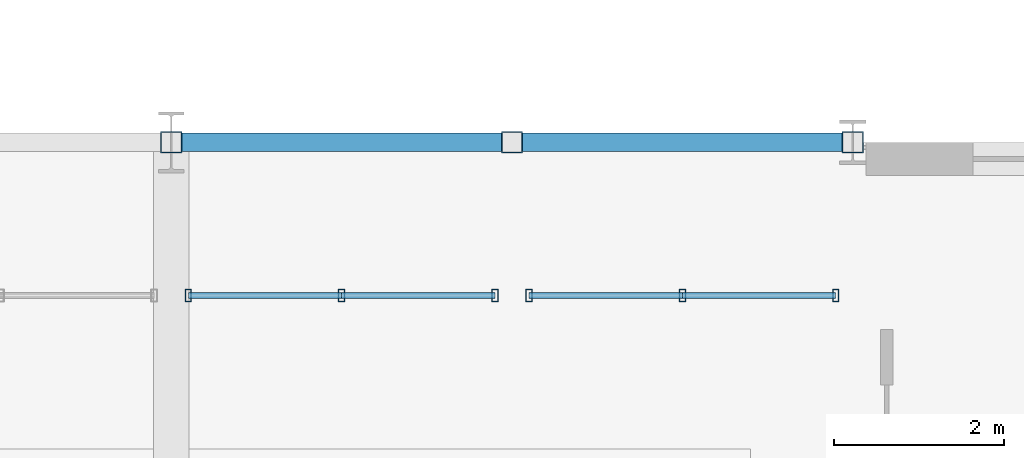
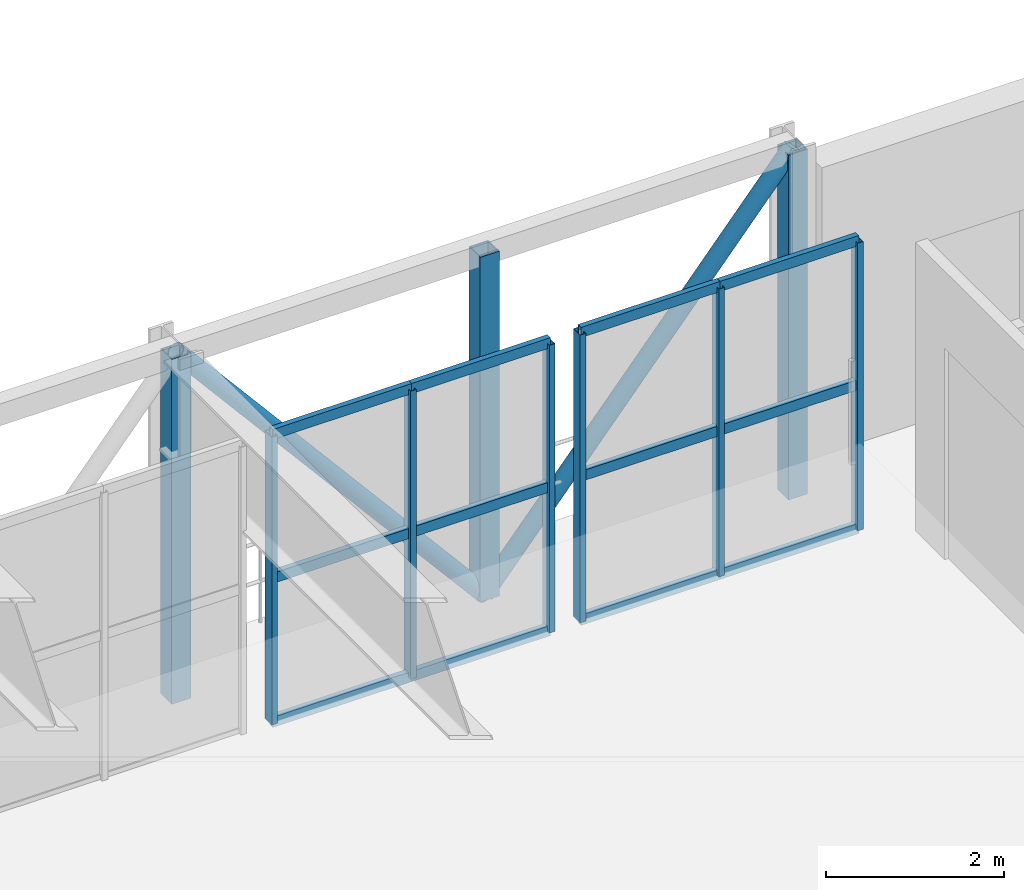
# One storey, part 32 of 124: 23 members, 2 elements without a shape of their own.
"""IFC4 building model written with IfcOpenShell, lengths in metres."""

from ifc_helpers import new_model, si_unit, direction, frame, origin, origin_2d, place, context, subcontext, project, spatial, hollow_rectangle, hollow_circle, extrude, material, material_profile, profile_set, type_object, element, aggregate, save


model = new_model("IFC4")

# Units and contexts
model_context = context("Model", 3, precision=1e-05, world=origin(), true_north=direction((0.0, 1.0)))
body_context = subcontext(model_context, "Body", "Model", "MODEL_VIEW")
ifc_project = project(units=[si_unit("LENGTHUNIT", "METRE"), si_unit("AREAUNIT", "SQUARE_METRE"), si_unit("VOLUMEUNIT", "CUBIC_METRE"), si_unit("PLANEANGLEUNIT", "RADIAN"), si_unit("MASSUNIT", "GRAM", prefix="KILO")], contexts=[model_context])

# Site, building, storey
site_placement = place(None, origin())
site = spatial("IfcSite", under=ifc_project, at=site_placement, CompositionType="ELEMENT")
building_placement = place(site_placement, origin())
building = spatial("IfcBuilding", under=site, at=building_placement, Name="Sundkrona Museum", CompositionType="ELEMENT")
storey_placement = place(building_placement, frame((0.0, 0.0, 17.60009765625)))
storey = spatial("IfcBuildingStorey", under=building, at=storey_placement, Name="L03", CompositionType="ELEMENT", Elevation=17.60009765625)

# Curtain wall, members
ifc_material_1 = material(Name="Unitised Aluminium-Steel and Ceramic-Clad Curtain Walling", Category="steel")
curtain_wall_type = type_object("IfcCurtainWallType", Name="CW-CV-36x38", PredefinedType="NOTDEFINED", material=ifc_material_1)
curtain_wall_1_placement = place(storey_placement, origin())
curtain_wall_1 = element("IfcCurtainWall", 1, at=curtain_wall_1_placement, inside=storey, type_object=curtain_wall_type, Name="L03 Curtain Wall CW-L03-159", PredefinedType="NOTDEFINED")
ifc_material_2 = material(Name="Aluminium EN AW-6060 T66", Category="aluminium")
ifc_material_profile_1 = material_profile(ifc_material_2, hollow_rectangle(XDim=0.074951171875, YDim=0.14990234375, WallThickness=0.00634765625, at=origin_2d()), Name="RHS 150x75x6.3")
ifc_profile_set_1 = profile_set([ifc_material_profile_1], Name="Aluminium EN AW-6060 T66")
member_type_1 = type_object("IfcMemberType", Name="ML-150", PredefinedType="MULLION", material=ifc_profile_set_1)
member_1_placement = place(storey_placement, frame((16.199951171875, 52.199951171875, -0.004150390625), z_axis=(0.0, 0.0, 1.0), x_axis=(1.0, 0.0, 0.0)))
member_1 = element("IfcMember", 2, at=member_1_placement, type_object=member_type_1, Name="CW-L03-159 Mullion 01", PredefinedType="MULLION", context=body_context, shape_type="SweptSolid", body=[
    extrude(hollow_rectangle(XDim=0.074951171875, YDim=0.14990234375, WallThickness=0.00634765625, at=origin_2d()), origin(), (0.0, 0.0, 1.0), 3.947998046875),
])
member_2_placement = place(storey_placement, frame((18.0, 52.199951171875, -0.004150390625), z_axis=(0.0, 0.0, 1.0), x_axis=(1.0, 0.0, 0.0)))
member_2 = element("IfcMember", 3, at=member_2_placement, type_object=member_type_1, Name="CW-L03-159 Mullion 02", PredefinedType="MULLION", context=body_context, shape_type="SweptSolid", body=[
    extrude(hollow_rectangle(XDim=0.074951171875, YDim=0.14990234375, WallThickness=0.00634765625, at=origin_2d()), origin(), (0.0, 0.0, 1.0), 3.947998046875),
])
member_3_placement = place(storey_placement, frame((19.800048828125, 52.199951171875, -0.004150390625), z_axis=(0.0, 0.0, 1.0), x_axis=(1.0, 0.0, 0.0)))
member_3 = element("IfcMember", 4, at=member_3_placement, type_object=member_type_1, Name="CW-L03-159 Mullion 03", PredefinedType="MULLION", context=body_context, shape_type="SweptSolid", body=[
    extrude(hollow_rectangle(XDim=0.074951171875, YDim=0.14990234375, WallThickness=0.00634765625, at=origin_2d()), origin(), (0.0, 0.0, 1.0), 3.947998046875),
])

curtain_wall_2_placement = place(storey_placement, origin())
curtain_wall_2 = element("IfcCurtainWall", 5, at=curtain_wall_2_placement, inside=storey, type_object=curtain_wall_type, Name="L03 Curtain Wall CW-L03-161", PredefinedType="NOTDEFINED")
member_4_placement = place(storey_placement, frame((20.199951171875, 52.199951171875, -0.004150390625), z_axis=(0.0, 0.0, 1.0), x_axis=(1.0, 0.0, 0.0)))
member_4 = element("IfcMember", 6, at=member_4_placement, type_object=member_type_1, Name="CW-L03-161 Mullion 01", PredefinedType="MULLION", context=body_context, shape_type="SweptSolid", body=[
    extrude(hollow_rectangle(XDim=0.074951171875, YDim=0.14990234375, WallThickness=0.00634765625, at=origin_2d()), origin(), (0.0, 0.0, 1.0), 3.947998046875),
])
member_5_placement = place(storey_placement, frame((22.0, 52.199951171875, -0.004150390625), z_axis=(0.0, 0.0, 1.0), x_axis=(1.0, 0.0, 0.0)))
member_5 = element("IfcMember", 7, at=member_5_placement, type_object=member_type_1, Name="CW-L03-161 Mullion 02", PredefinedType="MULLION", context=body_context, shape_type="SweptSolid", body=[
    extrude(hollow_rectangle(XDim=0.074951171875, YDim=0.14990234375, WallThickness=0.00634765625, at=origin_2d()), origin(), (0.0, 0.0, 1.0), 3.947998046875),
])
member_6_placement = place(storey_placement, frame((23.800048828125, 52.199951171875, -0.004150390625), z_axis=(0.0, 0.0, 1.0), x_axis=(1.0, 0.0, 0.0)))
member_6 = element("IfcMember", 8, at=member_6_placement, type_object=member_type_1, Name="CW-L03-161 Mullion 03", PredefinedType="MULLION", context=body_context, shape_type="SweptSolid", body=[
    extrude(hollow_rectangle(XDim=0.074951171875, YDim=0.14990234375, WallThickness=0.00634765625, at=origin_2d()), origin(), (0.0, 0.0, 1.0), 3.947998046875),
])

# Members
ifc_material_3 = material(Name="Steel S355J2", Category="steel")
ifc_material_profile_2 = material_profile(ifc_material_3, hollow_circle(Radius=0.109619140625, WallThickness=0.010009765625, at=origin_2d()), Name="CHS 219.1x10.0")
ifc_profile_set_2 = profile_set([ifc_material_profile_2], Name="Steel S355J2")
member_type_2 = type_object("IfcMemberType", Name="ST-CHS219", PredefinedType="STRUT", material=ifc_profile_set_2)
for number, where, z_axis, x_axis, name in (
    (9, (16.0, 54.0, 4.0498046875), (0.645726672694, 0.0, -0.763568637499), (0.0, 1.0, 0.0), "TRS-1 Cantilever Upper Pavilion N Diagonal 4"),
    (10, (20.0, 54.0, -0.68017578125), (0.645726672694, 0.0, 0.763568637499), (0.0, 1.0, 0.0), "TRS-1 Cantilever Upper Pavilion N Diagonal 5"),
):
    element("IfcMember", number, at=place(storey_placement, frame(where, z_axis=z_axis, x_axis=x_axis)), inside=storey, type_object=member_type_2, Name=name, PredefinedType="STRUT", context=body_context, shape_type="SweptSolid", body=[
        extrude(hollow_circle(Radius=0.109619140625, WallThickness=0.010009765625, at=origin_2d()), origin(), (0.0, 0.0, 1.0), 6.194580078125),
    ])
ifc_material_4 = material(Name="Steel S460M", Category="steel")
ifc_material_profile_3 = material_profile(ifc_material_4, hollow_rectangle(XDim=0.25, YDim=0.25, WallThickness=0.012451171875, at=origin_2d()), Name="SHS 250x250x12.5")
ifc_profile_set_3 = profile_set([ifc_material_profile_3], Name="Steel S460M")
member_type_3 = type_object("IfcMemberType", Name="ST-SHS250", PredefinedType="STRUT", material=ifc_profile_set_3)
for number, where, z_axis, x_axis, name in (
    (11, (16.0, 54.0, -0.68017578125), (0.0, 0.0, 1.0), (1.0, 0.0, 0.0), "TRS-1 Cantilever Upper Pavilion Post N-4"),
    (12, (20.0, 54.0, -0.68017578125), (0.0, 0.0, 1.0), (1.0, 0.0, 0.0), "TRS-1 Cantilever Upper Pavilion Post N-5"),
    (13, (24.0, 54.0, -0.68017578125), (0.0, 0.0, 1.0), (1.0, 0.0, 0.0), "TRS-1 Cantilever Upper Pavilion Post N-6"),
):
    element("IfcMember", number, at=place(storey_placement, frame(where, z_axis=z_axis, x_axis=x_axis)), inside=storey, type_object=member_type_3, Name=name, PredefinedType="STRUT", context=body_context, shape_type="SweptSolid", body=[
        extrude(hollow_rectangle(XDim=0.25, YDim=0.25, WallThickness=0.012451171875, at=origin_2d()), origin(), (0.0, 0.0, 1.0), 4.72998046875),
    ])

# Member
ifc_material_profile_4 = material_profile(ifc_material_2, hollow_rectangle(XDim=0.070068359375, YDim=0.139892578125, WallThickness=0.0048828125, at=origin_2d()), Name="RHS 140x70x5.0")
ifc_profile_set_4 = profile_set([ifc_material_profile_4], Name="Aluminium EN AW-6060 T66")
member_type_4 = type_object("IfcMemberType", Name="TR-140", PredefinedType="USERDEFINED", material=ifc_profile_set_4)
member_7_placement = place(storey_placement, frame((16.199951171875, 52.199951171875, -0.004150390625), z_axis=(1.0, 0.0, 0.0), x_axis=(0.0, 1.0, 0.0)))
member_7 = element("IfcMember", 14, at=member_7_placement, type_object=member_type_4, Name="CW-L03-159 Transom 01", ObjectType="TRANSOM", PredefinedType="USERDEFINED", context=body_context, shape_type="SweptSolid", body=[
    extrude(hollow_rectangle(XDim=0.070068359375, YDim=0.139892578125, WallThickness=0.0048828125, at=origin_2d()), origin(), (0.0, 0.0, 1.0), 1.800048828125),
])

member_8_placement = place(storey_placement, frame((16.199951171875, 52.199951171875, 1.969970703125), z_axis=(1.0, 0.0, 0.0), x_axis=(0.0, 1.0, 0.0)))
member_8 = element("IfcMember", 15, at=member_8_placement, type_object=member_type_4, Name="CW-L03-159 Transom 02", ObjectType="TRANSOM", PredefinedType="USERDEFINED", context=body_context, shape_type="SweptSolid", body=[
    extrude(hollow_rectangle(XDim=0.070068359375, YDim=0.139892578125, WallThickness=0.0048828125, at=origin_2d()), origin(), (0.0, 0.0, 1.0), 1.800048828125),
])

member_9_placement = place(storey_placement, frame((16.199951171875, 52.199951171875, 3.94384765625), z_axis=(1.0, 0.0, 0.0), x_axis=(0.0, 1.0, 0.0)))
member_9 = element("IfcMember", 16, at=member_9_placement, type_object=member_type_4, Name="CW-L03-159 Transom 03", ObjectType="TRANSOM", PredefinedType="USERDEFINED", context=body_context, shape_type="SweptSolid", body=[
    extrude(hollow_rectangle(XDim=0.070068359375, YDim=0.139892578125, WallThickness=0.0048828125, at=origin_2d()), origin(), (0.0, 0.0, 1.0), 1.800048828125),
])

member_10_placement = place(storey_placement, frame((18.0, 52.199951171875, -0.004150390625), z_axis=(1.0, 0.0, 0.0), x_axis=(0.0, 1.0, 0.0)))
member_10 = element("IfcMember", 17, at=member_10_placement, type_object=member_type_4, Name="CW-L03-159 Transom 04", ObjectType="TRANSOM", PredefinedType="USERDEFINED", context=body_context, shape_type="SweptSolid", body=[
    extrude(hollow_rectangle(XDim=0.070068359375, YDim=0.139892578125, WallThickness=0.0048828125, at=origin_2d()), origin(), (0.0, 0.0, 1.0), 1.800048828125),
])

member_11_placement = place(storey_placement, frame((18.0, 52.199951171875, 1.969970703125), z_axis=(1.0, 0.0, 0.0), x_axis=(0.0, 1.0, 0.0)))
member_11 = element("IfcMember", 18, at=member_11_placement, type_object=member_type_4, Name="CW-L03-159 Transom 05", ObjectType="TRANSOM", PredefinedType="USERDEFINED", context=body_context, shape_type="SweptSolid", body=[
    extrude(hollow_rectangle(XDim=0.070068359375, YDim=0.139892578125, WallThickness=0.0048828125, at=origin_2d()), origin(), (0.0, 0.0, 1.0), 1.800048828125),
])

member_12_placement = place(storey_placement, frame((18.0, 52.199951171875, 3.94384765625), z_axis=(1.0, 0.0, 0.0), x_axis=(0.0, 1.0, 0.0)))
member_12 = element("IfcMember", 19, at=member_12_placement, type_object=member_type_4, Name="CW-L03-159 Transom 06", ObjectType="TRANSOM", PredefinedType="USERDEFINED", context=body_context, shape_type="SweptSolid", body=[
    extrude(hollow_rectangle(XDim=0.070068359375, YDim=0.139892578125, WallThickness=0.0048828125, at=origin_2d()), origin(), (0.0, 0.0, 1.0), 1.800048828125),
])

aggregate(curtain_wall_1, [member_1, member_2, member_3, member_7, member_8, member_9, member_10, member_11, member_12])

member_13_placement = place(storey_placement, frame((20.199951171875, 52.199951171875, -0.004150390625), z_axis=(1.0, 0.0, 0.0), x_axis=(0.0, 1.0, 0.0)))
member_13 = element("IfcMember", 20, at=member_13_placement, type_object=member_type_4, Name="CW-L03-161 Transom 01", ObjectType="TRANSOM", PredefinedType="USERDEFINED", context=body_context, shape_type="SweptSolid", body=[
    extrude(hollow_rectangle(XDim=0.070068359375, YDim=0.139892578125, WallThickness=0.0048828125, at=origin_2d()), origin(), (0.0, 0.0, 1.0), 1.800048828125),
])

member_14_placement = place(storey_placement, frame((20.199951171875, 52.199951171875, 1.969970703125), z_axis=(1.0, 0.0, 0.0), x_axis=(0.0, 1.0, 0.0)))
member_14 = element("IfcMember", 21, at=member_14_placement, type_object=member_type_4, Name="CW-L03-161 Transom 02", ObjectType="TRANSOM", PredefinedType="USERDEFINED", context=body_context, shape_type="SweptSolid", body=[
    extrude(hollow_rectangle(XDim=0.070068359375, YDim=0.139892578125, WallThickness=0.0048828125, at=origin_2d()), origin(), (0.0, 0.0, 1.0), 1.800048828125),
])

member_15_placement = place(storey_placement, frame((20.199951171875, 52.199951171875, 3.94384765625), z_axis=(1.0, 0.0, 0.0), x_axis=(0.0, 1.0, 0.0)))
member_15 = element("IfcMember", 22, at=member_15_placement, type_object=member_type_4, Name="CW-L03-161 Transom 03", ObjectType="TRANSOM", PredefinedType="USERDEFINED", context=body_context, shape_type="SweptSolid", body=[
    extrude(hollow_rectangle(XDim=0.070068359375, YDim=0.139892578125, WallThickness=0.0048828125, at=origin_2d()), origin(), (0.0, 0.0, 1.0), 1.800048828125),
])

member_16_placement = place(storey_placement, frame((22.0, 52.199951171875, -0.004150390625), z_axis=(1.0, 0.0, 0.0), x_axis=(0.0, 1.0, 0.0)))
member_16 = element("IfcMember", 23, at=member_16_placement, type_object=member_type_4, Name="CW-L03-161 Transom 04", ObjectType="TRANSOM", PredefinedType="USERDEFINED", context=body_context, shape_type="SweptSolid", body=[
    extrude(hollow_rectangle(XDim=0.070068359375, YDim=0.139892578125, WallThickness=0.0048828125, at=origin_2d()), origin(), (0.0, 0.0, 1.0), 1.800048828125),
])

member_17_placement = place(storey_placement, frame((22.0, 52.199951171875, 1.969970703125), z_axis=(1.0, 0.0, 0.0), x_axis=(0.0, 1.0, 0.0)))
member_17 = element("IfcMember", 24, at=member_17_placement, type_object=member_type_4, Name="CW-L03-161 Transom 05", ObjectType="TRANSOM", PredefinedType="USERDEFINED", context=body_context, shape_type="SweptSolid", body=[
    extrude(hollow_rectangle(XDim=0.070068359375, YDim=0.139892578125, WallThickness=0.0048828125, at=origin_2d()), origin(), (0.0, 0.0, 1.0), 1.800048828125),
])

member_18_placement = place(storey_placement, frame((22.0, 52.199951171875, 3.94384765625), z_axis=(1.0, 0.0, 0.0), x_axis=(0.0, 1.0, 0.0)))
member_18 = element("IfcMember", 25, at=member_18_placement, type_object=member_type_4, Name="CW-L03-161 Transom 06", ObjectType="TRANSOM", PredefinedType="USERDEFINED", context=body_context, shape_type="SweptSolid", body=[
    extrude(hollow_rectangle(XDim=0.070068359375, YDim=0.139892578125, WallThickness=0.0048828125, at=origin_2d()), origin(), (0.0, 0.0, 1.0), 1.800048828125),
])

aggregate(curtain_wall_2, [member_4, member_5, member_6, member_13, member_14, member_15, member_16, member_17, member_18])

save(model, "model.ifc")
